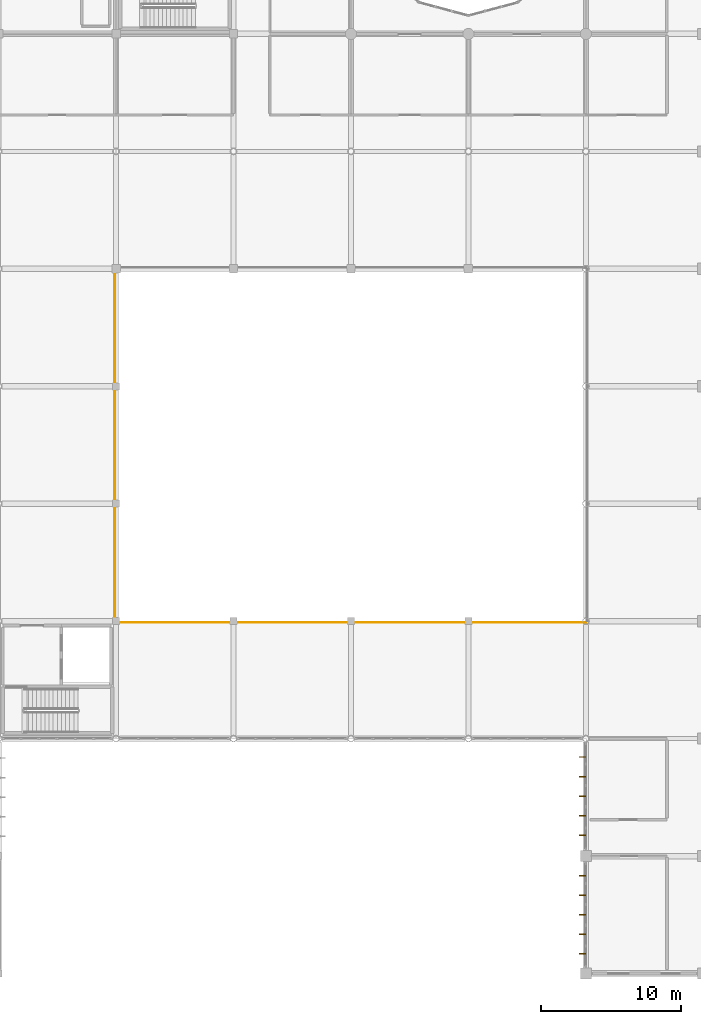
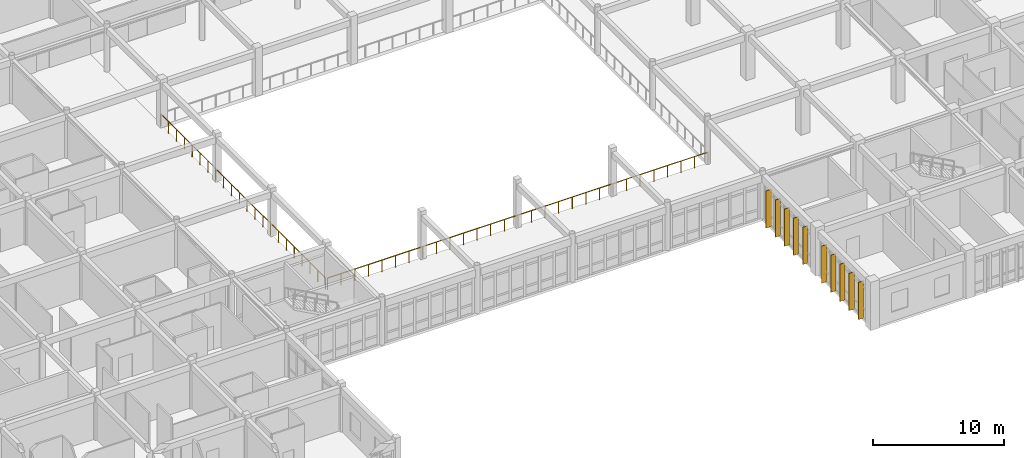
# One storey, part 127 of 144: 10 shading devices, 2 railings.
"""IFC4 building model written with IfcOpenShell, lengths in metres."""

from ifc_helpers import new_model, si_unit, direction, frame, origin, origin_2d, place, context, subcontext, project, spatial, rectangle, circle, extrude, material, material_profile, profile_set, type_object, element, save


model = new_model("IFC4")

# Units and contexts
model_context = context("Model", 3, precision=1e-05, world=origin(), true_north=direction((0.0, 1.0)))
body_context = subcontext(model_context, "Body", "Model", "MODEL_VIEW")
ifc_project = project(units=[si_unit("LENGTHUNIT", "METRE"), si_unit("AREAUNIT", "SQUARE_METRE"), si_unit("VOLUMEUNIT", "CUBIC_METRE"), si_unit("PLANEANGLEUNIT", "RADIAN"), si_unit("MASSUNIT", "GRAM", prefix="KILO")], contexts=[model_context])

# Site, building, storey
site_placement = place(None, origin())
site = spatial("IfcSite", under=ifc_project, at=site_placement, CompositionType="ELEMENT")
building_placement = place(site_placement, origin())
building = spatial("IfcBuilding", under=site, at=building_placement, Name="Bramfleet General Hospital", CompositionType="ELEMENT")
storey_placement = place(building_placement, frame((0.0, 0.0, 4.800048828125)))
storey = spatial("IfcBuildingStorey", under=building, at=storey_placement, Name="L01", CompositionType="ELEMENT", Elevation=4.800048828125)

# Railings
ifc_material_1 = material(Name="Stainless steel 1.4401 safety balustrade", Category="steel")
railing_type = type_object("IfcRailingType", Name="RAIL-EXT-GUARD", PredefinedType="GUARDRAIL", material=ifc_material_1)
railing_1_placement = place(storey_placement, frame((58.81005859375, 25.10009765625, 0.0)))
element("IfcRailing", 1, at=railing_1_placement, inside=storey, type_object=railing_type, Name="L01 Safety Guard Rail 73", PredefinedType="GUARDRAIL", context=body_context, shape_type="SweptSolid", body=[
    extrude(circle(Radius=0.02392578125, at=origin_2d()), frame((0.0, 0.0, 1.076171875), z_axis=(1.0, 0.0, 0.0), x_axis=(0.0, 1.0, 0.0)), (0.0, 0.0, 1.0), 33.579833984375),
    extrude(circle(Radius=0.02099609375, at=origin_2d()), origin(), (0.0, 0.0, 1.0), 1.052001953125),
    extrude(circle(Radius=0.02099609375, at=origin_2d()), frame((1.19921875, 0.0, 0.0)), (0.0, 0.0, 1.0), 1.052001953125),
    extrude(circle(Radius=0.02099609375, at=origin_2d()), frame((2.3984375, 0.0, 0.0)), (0.0, 0.0, 1.0), 1.052001953125),
    extrude(circle(Radius=0.02099609375, at=origin_2d()), frame((3.597900390625, 0.0, 0.0)), (0.0, 0.0, 1.0), 1.052001953125),
    extrude(circle(Radius=0.02099609375, at=origin_2d()), frame((4.797119140625, 0.0, 0.0)), (0.0, 0.0, 1.0), 1.052001953125),
    extrude(circle(Radius=0.02099609375, at=origin_2d()), frame((5.996337890625, 0.0, 0.0)), (0.0, 0.0, 1.0), 1.052001953125),
    extrude(circle(Radius=0.02099609375, at=origin_2d()), frame((7.19580078125, 0.0, 0.0)), (0.0, 0.0, 1.0), 1.052001953125),
    extrude(circle(Radius=0.02099609375, at=origin_2d()), frame((8.39501953125, 0.0, 0.0)), (0.0, 0.0, 1.0), 1.052001953125),
    extrude(circle(Radius=0.02099609375, at=origin_2d()), frame((9.59423828125, 0.0, 0.0)), (0.0, 0.0, 1.0), 1.052001953125),
    extrude(circle(Radius=0.02099609375, at=origin_2d()), frame((10.79345703125, 0.0, 0.0)), (0.0, 0.0, 1.0), 1.052001953125),
    extrude(circle(Radius=0.02099609375, at=origin_2d()), frame((11.99267578125, 0.0, 0.0)), (0.0, 0.0, 1.0), 1.052001953125),
    extrude(circle(Radius=0.02099609375, at=origin_2d()), frame((13.192138671875, 0.0, 0.0)), (0.0, 0.0, 1.0), 1.052001953125),
    extrude(circle(Radius=0.02099609375, at=origin_2d()), frame((14.391357421875, 0.0, 0.0)), (0.0, 0.0, 1.0), 1.052001953125),
    extrude(circle(Radius=0.02099609375, at=origin_2d()), frame((15.590576171875, 0.0, 0.0)), (0.0, 0.0, 1.0), 1.052001953125),
    extrude(circle(Radius=0.02099609375, at=origin_2d()), frame((16.7900390625, 0.0, 0.0)), (0.0, 0.0, 1.0), 1.052001953125),
    extrude(circle(Radius=0.02099609375, at=origin_2d()), frame((17.9892578125, 0.0, 0.0)), (0.0, 0.0, 1.0), 1.052001953125),
    extrude(circle(Radius=0.02099609375, at=origin_2d()), frame((19.1884765625, 0.0, 0.0)), (0.0, 0.0, 1.0), 1.052001953125),
    extrude(circle(Radius=0.02099609375, at=origin_2d()), frame((20.3876953125, 0.0, 0.0)), (0.0, 0.0, 1.0), 1.052001953125),
    extrude(circle(Radius=0.02099609375, at=origin_2d()), frame((21.5869140625, 0.0, 0.0)), (0.0, 0.0, 1.0), 1.052001953125),
    extrude(circle(Radius=0.02099609375, at=origin_2d()), frame((22.786376953125, 0.0, 0.0)), (0.0, 0.0, 1.0), 1.052001953125),
    extrude(circle(Radius=0.02099609375, at=origin_2d()), frame((23.985595703125, 0.0, 0.0)), (0.0, 0.0, 1.0), 1.052001953125),
    extrude(circle(Radius=0.02099609375, at=origin_2d()), frame((25.184814453125, 0.0, 0.0)), (0.0, 0.0, 1.0), 1.052001953125),
    extrude(circle(Radius=0.02099609375, at=origin_2d()), frame((26.38427734375, 0.0, 0.0)), (0.0, 0.0, 1.0), 1.052001953125),
    extrude(circle(Radius=0.02099609375, at=origin_2d()), frame((27.58349609375, 0.0, 0.0)), (0.0, 0.0, 1.0), 1.052001953125),
    extrude(circle(Radius=0.02099609375, at=origin_2d()), frame((28.78271484375, 0.0, 0.0)), (0.0, 0.0, 1.0), 1.052001953125),
    extrude(circle(Radius=0.02099609375, at=origin_2d()), frame((29.98193359375, 0.0, 0.0)), (0.0, 0.0, 1.0), 1.052001953125),
    extrude(circle(Radius=0.02099609375, at=origin_2d()), frame((31.18115234375, 0.0, 0.0)), (0.0, 0.0, 1.0), 1.052001953125),
    extrude(circle(Radius=0.02099609375, at=origin_2d()), frame((32.380615234375, 0.0, 0.0)), (0.0, 0.0, 1.0), 1.052001953125),
    extrude(circle(Radius=0.02099609375, at=origin_2d()), frame((33.579833984375, 0.0, 0.0)), (0.0, 0.0, 1.0), 1.052001953125),
])
railing_2_placement = place(storey_placement, frame((58.699951171875, 50.389892578125, 0.0)))
element("IfcRailing", 2, at=railing_2_placement, inside=storey, type_object=railing_type, Name="L01 Safety Guard Rail 76", PredefinedType="GUARDRAIL", context=body_context, shape_type="SweptSolid", body=[
    extrude(circle(Radius=0.02392578125, at=origin_2d()), frame((0.0, 0.0, 1.076171875), z_axis=(0.0, -1.0, 0.0), x_axis=(1.0, 0.0, 0.0)), (0.0, 0.0, 1.0), 25.179931640625),
    extrude(circle(Radius=0.02099609375, at=origin_2d()), origin(), (0.0, 0.0, 1.0), 1.052001953125),
    extrude(circle(Radius=0.02099609375, at=origin_2d()), frame((0.0, -1.198974609375, 0.0)), (0.0, 0.0, 1.0), 1.052001953125),
    extrude(circle(Radius=0.02099609375, at=origin_2d()), frame((0.0, -2.398193359375, 0.0)), (0.0, 0.0, 1.0), 1.052001953125),
    extrude(circle(Radius=0.02099609375, at=origin_2d()), frame((0.0, -3.59716796875, 0.0)), (0.0, 0.0, 1.0), 1.052001953125),
    extrude(circle(Radius=0.02099609375, at=origin_2d()), frame((0.0, -4.796142578125, 0.0)), (0.0, 0.0, 1.0), 1.052001953125),
    extrude(circle(Radius=0.02099609375, at=origin_2d()), frame((0.0, -5.9951171875, 0.0)), (0.0, 0.0, 1.0), 1.052001953125),
    extrude(circle(Radius=0.02099609375, at=origin_2d()), frame((0.0, -7.1943359375, 0.0)), (0.0, 0.0, 1.0), 1.052001953125),
    extrude(circle(Radius=0.02099609375, at=origin_2d()), frame((0.0, -8.393310546875, 0.0)), (0.0, 0.0, 1.0), 1.052001953125),
    extrude(circle(Radius=0.02099609375, at=origin_2d()), frame((0.0, -9.59228515625, 0.0)), (0.0, 0.0, 1.0), 1.052001953125),
    extrude(circle(Radius=0.02099609375, at=origin_2d()), frame((0.0, -10.79150390625, 0.0)), (0.0, 0.0, 1.0), 1.052001953125),
    extrude(circle(Radius=0.02099609375, at=origin_2d()), frame((0.0, -11.990478515625, 0.0)), (0.0, 0.0, 1.0), 1.052001953125),
    extrude(circle(Radius=0.02099609375, at=origin_2d()), frame((0.0, -13.189453125, 0.0)), (0.0, 0.0, 1.0), 1.052001953125),
    extrude(circle(Radius=0.02099609375, at=origin_2d()), frame((0.0, -14.388427734375, 0.0)), (0.0, 0.0, 1.0), 1.052001953125),
    extrude(circle(Radius=0.02099609375, at=origin_2d()), frame((0.0, -15.587646484375, 0.0)), (0.0, 0.0, 1.0), 1.052001953125),
    extrude(circle(Radius=0.02099609375, at=origin_2d()), frame((0.0, -16.78662109375, 0.0)), (0.0, 0.0, 1.0), 1.052001953125),
    extrude(circle(Radius=0.02099609375, at=origin_2d()), frame((0.0, -17.985595703125, 0.0)), (0.0, 0.0, 1.0), 1.052001953125),
    extrude(circle(Radius=0.02099609375, at=origin_2d()), frame((0.0, -19.184814453125, 0.0)), (0.0, 0.0, 1.0), 1.052001953125),
    extrude(circle(Radius=0.02099609375, at=origin_2d()), frame((0.0, -20.3837890625, 0.0)), (0.0, 0.0, 1.0), 1.052001953125),
    extrude(circle(Radius=0.02099609375, at=origin_2d()), frame((0.0, -21.582763671875, 0.0)), (0.0, 0.0, 1.0), 1.052001953125),
    extrude(circle(Radius=0.02099609375, at=origin_2d()), frame((0.0, -22.78173828125, 0.0)), (0.0, 0.0, 1.0), 1.052001953125),
    extrude(circle(Radius=0.02099609375, at=origin_2d()), frame((0.0, -23.98095703125, 0.0)), (0.0, 0.0, 1.0), 1.052001953125),
    extrude(circle(Radius=0.02099609375, at=origin_2d()), frame((0.0, -25.179931640625, 0.0)), (0.0, 0.0, 1.0), 1.052001953125),
])

# Shading devices
ifc_material_2 = material(Name="Treated European larch timber", Category="wood")
ifc_material_profile = material_profile(ifc_material_2, rectangle(XDim=0.06494140625, YDim=0.449951171875, at=origin_2d()), Name="LARCH FIN 450x65")
ifc_profile_set = profile_set([ifc_material_profile], Name="Treated European larch timber")
shading_device_type = type_object("IfcShadingDeviceType", Name="SHD-FIN-450", PredefinedType="USERDEFINED", material=ifc_profile_set)
for number, where, z_axis, x_axis, name in (
    (3, (92.159912109375, 1.39990234375, -0.02001953125), (0.0, 0.0, 1.0), (0.0, 1.0, 0.0), "L01 Larch Timber Shading Fin 301"),
    (4, (92.159912109375, 2.800048828125, -0.02001953125), (0.0, 0.0, 1.0), (0.0, 1.0, 0.0), "L01 Larch Timber Shading Fin 302"),
    (5, (92.159912109375, 4.199951171875, -0.02001953125), (0.0, 0.0, 1.0), (0.0, 1.0, 0.0), "L01 Larch Timber Shading Fin 303"),
    (6, (92.159912109375, 5.60009765625, -0.02001953125), (0.0, 0.0, 1.0), (0.0, 1.0, 0.0), "L01 Larch Timber Shading Fin 304"),
    (7, (92.159912109375, 7.0, -0.02001953125), (0.0, 0.0, 1.0), (0.0, 1.0, 0.0), "L01 Larch Timber Shading Fin 305"),
    (8, (92.159912109375, 9.885986328125, -0.02001953125), (0.0, 0.0, 1.0), (0.0, 1.0, 0.0), "L01 Larch Timber Shading Fin 306"),
    (9, (92.159912109375, 11.285888671875, -0.02001953125), (0.0, 0.0, 1.0), (0.0, 1.0, 0.0), "L01 Larch Timber Shading Fin 307"),
    (10, (92.159912109375, 12.68603515625, -0.02001953125), (0.0, 0.0, 1.0), (0.0, 1.0, 0.0), "L01 Larch Timber Shading Fin 308"),
    (11, (92.159912109375, 14.0859375, -0.02001953125), (0.0, 0.0, 1.0), (0.0, 1.0, 0.0), "L01 Larch Timber Shading Fin 309"),
    (12, (92.159912109375, 15.486083984375, -0.02001953125), (0.0, 0.0, 1.0), (0.0, 1.0, 0.0), "L01 Larch Timber Shading Fin 310"),
):
    element("IfcShadingDevice", number, at=place(storey_placement, frame(where, z_axis=z_axis, x_axis=x_axis)), inside=storey, type_object=shading_device_type, Name=name, ObjectType="Fin", PredefinedType="USERDEFINED", context=body_context, shape_type="SweptSolid", body=[
        extrude(rectangle(XDim=0.06494140625, YDim=0.449951171875, at=origin_2d()), origin(), (0.0, 0.0, 1.0), 3.469970703125),
    ])

save(model, "model.ifc")
